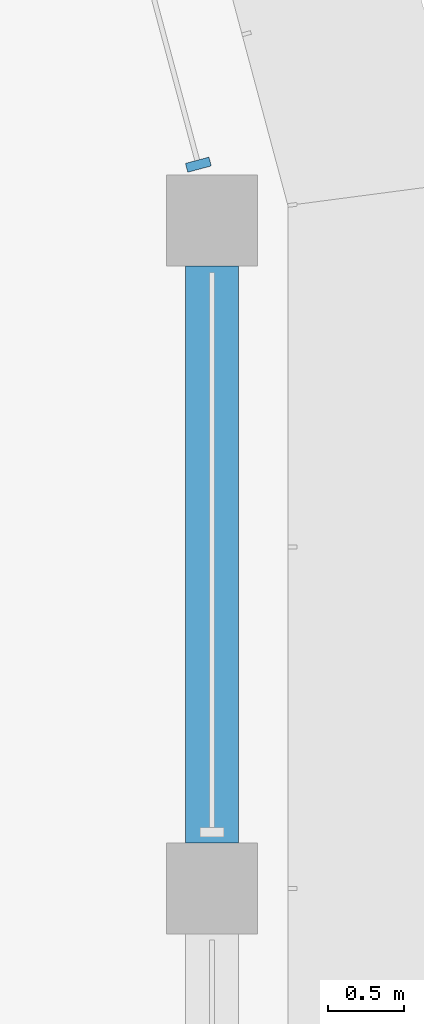
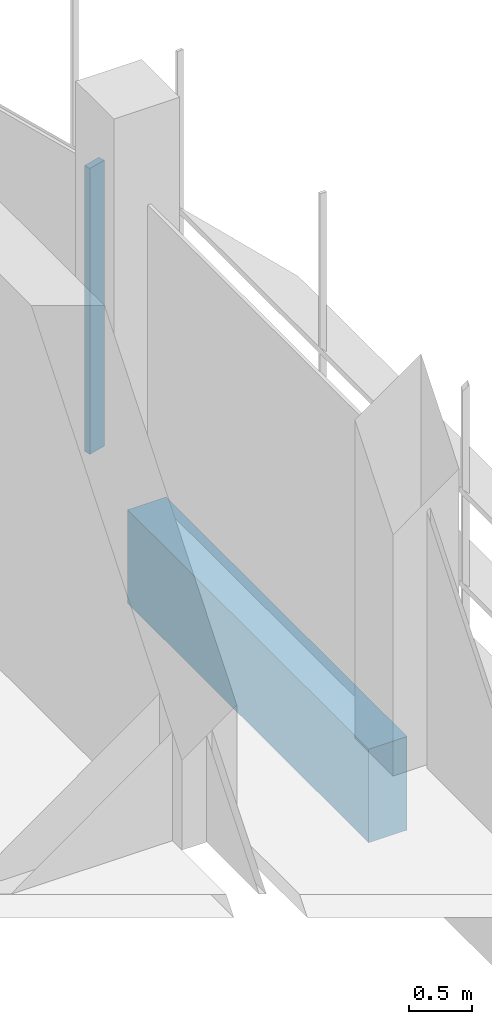
# One storey, part 10 of 19: 1 beam, 1 member, 1 element without a shape of its own.
"""IFC4 building model written with IfcOpenShell, lengths in metres."""

from ifc_helpers import new_model, si_unit, direction, frame, origin, origin_2d, place, context, subcontext, project, spatial, polyline, rectangle, outline, extrude, source, transform, mapped, material, material_profile, profile_set, type_object, element, aggregate, save


model = new_model("IFC4")

# Units and contexts
model_context = context("Model", 3, precision=1e-05, world=origin(), true_north=direction((0.0, 1.0)))
body_context = subcontext(model_context, "Body", "Model", "MODEL_VIEW")
ifc_project = project(units=[si_unit("LENGTHUNIT", "METRE"), si_unit("AREAUNIT", "SQUARE_METRE"), si_unit("VOLUMEUNIT", "CUBIC_METRE"), si_unit("PLANEANGLEUNIT", "RADIAN"), si_unit("MASSUNIT", "GRAM", prefix="KILO")], contexts=[model_context])

# Site, building, storey
site_placement = place(None, origin())
site = spatial("IfcSite", under=ifc_project, at=site_placement, CompositionType="ELEMENT")
building_placement = place(site_placement, origin())
building = spatial("IfcBuilding", under=site, at=building_placement, Name="Zarbagh Exchange Tower", CompositionType="ELEMENT")
storey_placement = place(building_placement, frame((0.0, 0.0, 272.60009765625)))
storey = spatial("IfcBuildingStorey", under=building, at=storey_placement, Name="L67", CompositionType="ELEMENT", Elevation=272.60009765625)

# Beam
ifc_material_1 = material(Name="Concrete C40/50", Category="concrete")
ifc_material_profile = material_profile(ifc_material_1, rectangle(XDim=0.35009765625, YDim=0.89990234375, at=origin_2d()), Name="RC spandrel beam 350 x 900 C40/50")
ifc_profile_set = profile_set([ifc_material_profile], Name="Concrete C40/50")
beam_type = type_object("IfcBeamType", Name="RC spandrel beam 350 x 900 C40/50", PredefinedType="SPANDREL", material=ifc_profile_set)
beam_placement = place(storey_placement, frame((6.25, 24.35009765625, -0.60009765625), z_axis=(0.0, -1.0, 0.0), x_axis=(1.0, 0.0, 0.0)))
element("IfcBeam", 1, at=beam_placement, inside=storey, type_object=beam_type, Name="RC spandrel beam", PredefinedType="SPANDREL", context=body_context, shape_type="SweptSolid", body=[
    extrude(rectangle(XDim=0.35009765625, YDim=0.89990234375, at=origin_2d()), origin(), (0.0, 0.0, 1.0), 3.800048828125),
])

# Curtain wall, member
ifc_material_2 = material(Name="Anodised aluminium frame and glazing", Category="aluminium")
curtain_wall_type = type_object("IfcCurtainWallType", Name="CWB Ribbon glazing, upper zones", PredefinedType="NOTDEFINED", material=ifc_material_2)
curtain_wall_placement = place(storey_placement, origin())
curtain_wall = element("IfcCurtainWall", 2, at=curtain_wall_placement, inside=storey, type_object=curtain_wall_type, Name="CWB68 curtain wall", PredefinedType="NOTDEFINED")
ifc_material_3 = material(Name="Anodised aluminium frame", Category="aluminium")
member_type = type_object("IfcMemberType", Name="MUB Mullion, anodised aluminium frame", PredefinedType="MULLION", material=ifc_material_3)
shared_shape = source(origin(), body_context, "Body", "SweptSolid", [
    extrude(outline(polyline([(0.0, -0.080078125), (0.06005859375, -0.080078125), (0.06005859375, 0.080078125), (0.0, 0.080078125), (0.0, -0.080078125)])), origin(), (0.0, 0.0, 1.0), 2.75),
])
member_placement = place(storey_placement, origin())
member = element("IfcMember", 3, at=member_placement, type_object=member_type, Name="CWB68 mullion 1.1", PredefinedType="MULLION", context=body_context, shape_type="MappedRepresentation", body=[
    mapped(shared_shape, transform((6.16796875, 24.989990234375, 0.0), x_axis=(-0.258824779902, 0.965924289636, 0.0), y_axis=(-0.965924289636, -0.258824779902, 0.0), z_axis=(0.0, 0.0, 1.0))),
])
aggregate(curtain_wall, [member])

save(model, "model.ifc")
